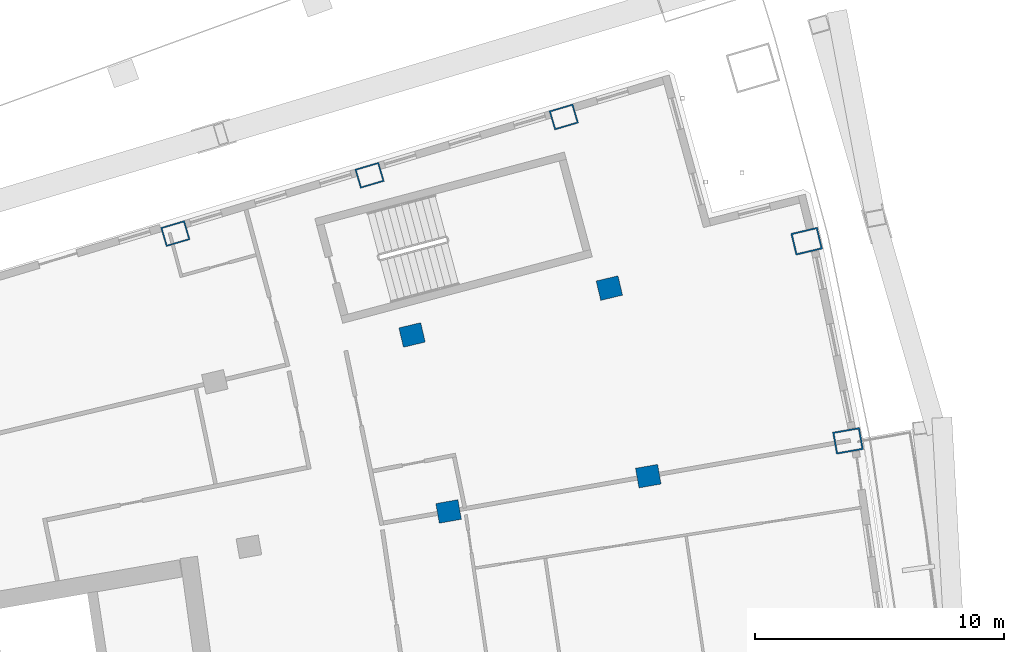
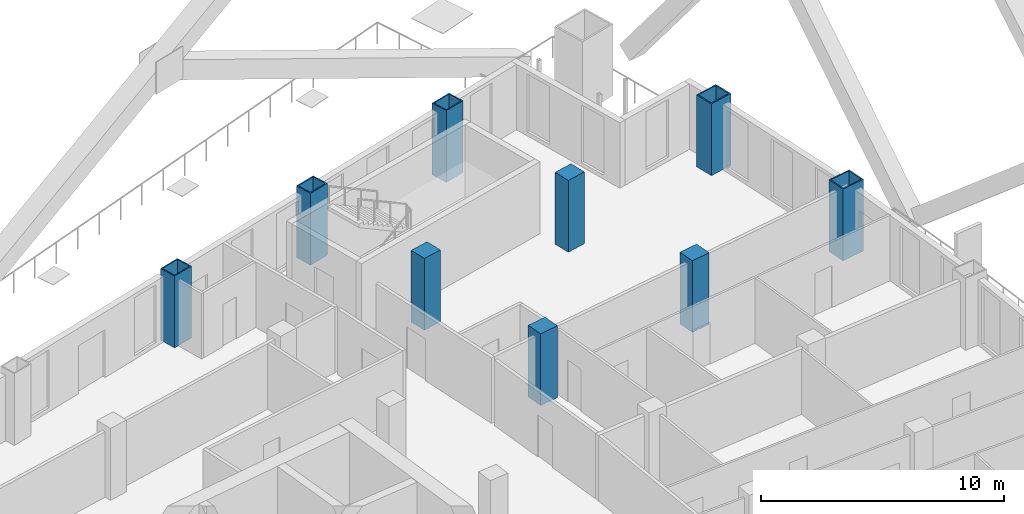
# One storey, part 7 of 20: 9 columns.
"""IFC4 building model written with IfcOpenShell, lengths in metres."""

from ifc_helpers import new_model, si_unit, direction, frame, origin, origin_2d, place, context, subcontext, project, spatial, rectangle, hollow_rectangle, extrude, material, material_profile, profile_set, type_object, element, save


model = new_model("IFC4")

# Units and contexts
model_context = context("Model", 3, precision=1e-05, world=origin(), true_north=direction((0.0, 1.0)))
body_context = subcontext(model_context, "Body", "Model", "MODEL_VIEW")
ifc_project = project(units=[si_unit("LENGTHUNIT", "METRE"), si_unit("AREAUNIT", "SQUARE_METRE"), si_unit("VOLUMEUNIT", "CUBIC_METRE"), si_unit("PLANEANGLEUNIT", "RADIAN"), si_unit("MASSUNIT", "GRAM", prefix="KILO")], contexts=[model_context])

# Site, building, storey
site_placement = place(None, origin())
site = spatial("IfcSite", under=ifc_project, at=site_placement, CompositionType="ELEMENT")
building_placement = place(site_placement, origin())
building = spatial("IfcBuilding", under=site, at=building_placement, Name="Alderwake Tower", CompositionType="ELEMENT")
storey_placement = place(building_placement, frame((0.0, 0.0, 138.800048828125)))
storey = spatial("IfcBuildingStorey", under=building, at=storey_placement, Name="L33", CompositionType="ELEMENT", Elevation=138.800048828125)

# Columns
ifc_material_1 = material(Name="Steel ASTM A572 Grade 50 concrete filled C70/85", Category="concrete")
ifc_material_profile_1 = material_profile(ifc_material_1, hollow_rectangle(XDim=0.800048828125, YDim=1.0, WallThickness=0.054931640625, at=origin_2d()), Name="BOX 1000X800X55")
ifc_profile_set_1 = profile_set([ifc_material_profile_1], Name="Steel ASTM A572 Grade 50 concrete filled C70/85")
column_type_1 = type_object("IfcColumnType", Name="End column Z3", PredefinedType="COLUMN", material=ifc_profile_set_1)
for number, where, z_axis, x_axis, name in (
    (1, (31.080322265625, 93.72314453125, 0.0), (0.0, 0.0, 1.0), (-0.282582549822, 0.959242984095, 0.0), "Column R12-C2"),
    (2, (38.8701171875, 96.061767578125, 0.0), (0.0, 0.0, 1.0), (-0.282909001444, 0.959146754622, 0.0), "Column R12-C3"),
    (3, (46.66015625, 98.400634765625, 0.0), (0.0, 0.0, 1.0), (-0.283195247437, 0.959062277346, 0.0), "Column R12-C4"),
):
    element("IfcColumn", number, at=place(storey_placement, frame(where, z_axis=z_axis, x_axis=x_axis)), inside=storey, type_object=column_type_1, Name=name, PredefinedType="COLUMN", context=body_context, shape_type="SweptSolid", body=[
        extrude(hollow_rectangle(XDim=0.800048828125, YDim=1.0, WallThickness=0.054931640625, at=origin_2d()), origin(), (0.0, 0.0, 1.0), 3.599853515625),
    ])
ifc_material_2 = material(Name="Concrete C70/85", Category="concrete")
ifc_material_profile_2 = material_profile(ifc_material_2, rectangle(XDim=0.800048828125, YDim=0.89990234375, at=origin_2d()), Name="RC 900X800")
ifc_profile_set_2 = profile_set([ifc_material_profile_2], Name="Concrete C70/85")
column_type_2 = type_object("IfcColumnType", Name="Interior column Z3", PredefinedType="COLUMN", material=ifc_profile_set_2)
for number, where, z_axis, x_axis, name in (
    (4, (42.040283203125, 82.577880859375, 0.0), (0.0, 0.0, 1.0), (-0.174108800747, 0.984726421654, 0.0), "Column R10-C3"),
    (5, (50.049560546875, 83.993896484375, 0.0), (0.0, 0.0, 1.0), (-0.174108800747, 0.984726421654, 0.0), "Column R10-C4"),
    (6, (40.57470703125, 89.656005859375, 0.0), (0.0, 0.0, 1.0), (-0.231221547198, 0.972901123502, 0.0), "Column R11-C3"),
    (7, (48.48779296875, 91.53662109375, 0.0), (0.0, 0.0, 1.0), (-0.231221547198, 0.972901123502, 0.0), "Column R11-C4"),
):
    element("IfcColumn", number, at=place(storey_placement, frame(where, z_axis=z_axis, x_axis=x_axis)), inside=storey, type_object=column_type_2, Name=name, PredefinedType="COLUMN", context=body_context, shape_type="SweptSolid", body=[
        extrude(rectangle(XDim=0.800048828125, YDim=0.89990234375, at=origin_2d()), origin(), (0.0, 0.0, 1.0), 3.599853515625),
    ])
ifc_material_3 = material(Name="Steel ASTM A572 Grade 50 concrete filled C70/85", Category="concrete")
ifc_material_profile_3 = material_profile(ifc_material_3, hollow_rectangle(XDim=0.89990234375, YDim=1.10009765625, WallThickness=0.06005859375, at=origin_2d()), Name="BOX 1100X900X60")
ifc_profile_set_3 = profile_set([ifc_material_profile_3], Name="Steel ASTM A572 Grade 50 concrete filled C70/85")
column_type_3 = type_object("IfcColumnType", Name="Perimeter column Z3", PredefinedType="COLUMN", material=ifc_profile_set_3)
for number, where, z_axis, x_axis, name in (
    (8, (58.05859375, 85.409912109375, 0.0), (0.0, 0.0, 1.0), (-0.174108800747, 0.984726421654, 0.0), "Column R10-C5"),
    (9, (56.400634765625, 93.417236328125, 0.0), (0.0, 0.0, 1.0), (-0.231221547198, 0.972901123502, 0.0), "Column R11-C5"),
):
    element("IfcColumn", number, at=place(storey_placement, frame(where, z_axis=z_axis, x_axis=x_axis)), inside=storey, type_object=column_type_3, Name=name, PredefinedType="COLUMN", context=body_context, shape_type="SweptSolid", body=[
        extrude(hollow_rectangle(XDim=0.89990234375, YDim=1.10009765625, WallThickness=0.06005859375, at=origin_2d()), origin(), (0.0, 0.0, 1.0), 3.599853515625),
    ])

save(model, "model.ifc")
